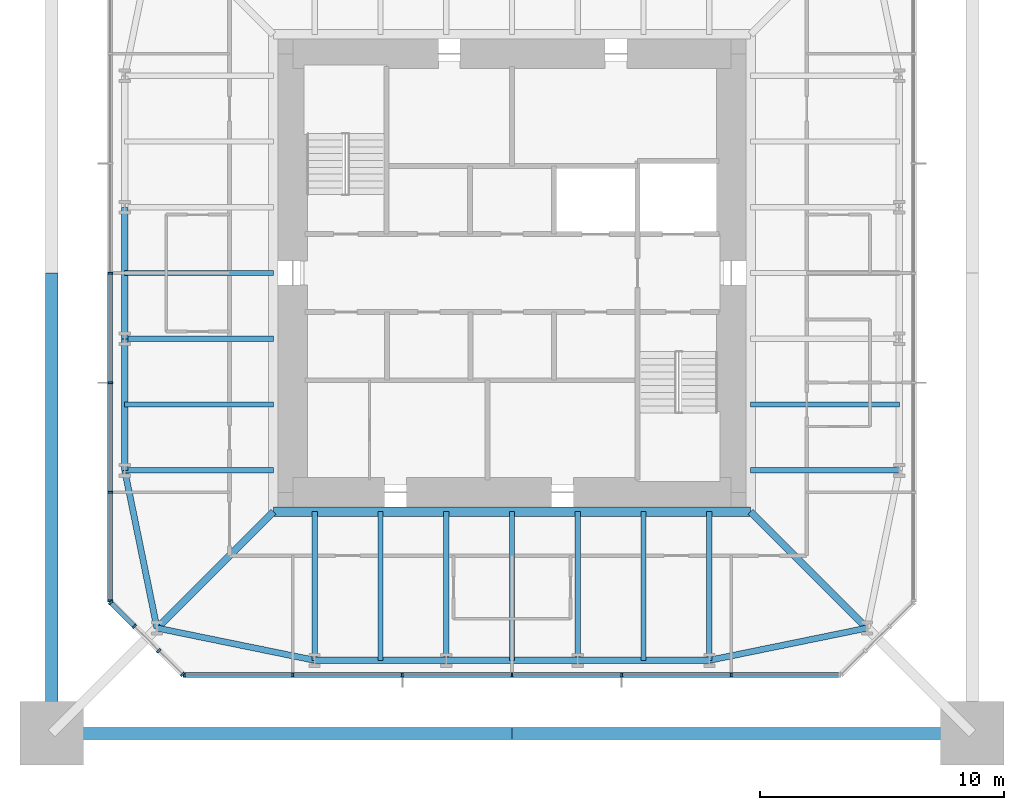
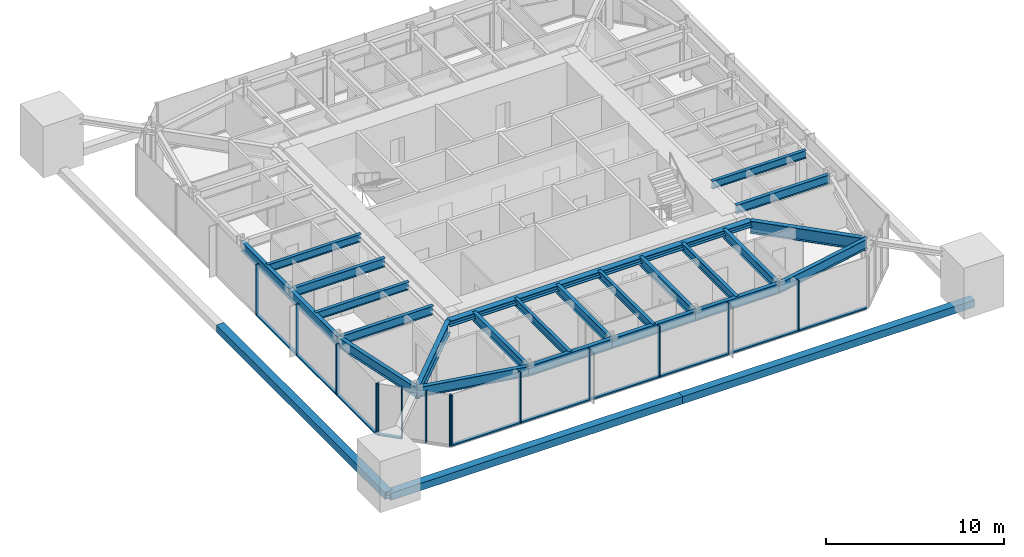
# One storey, part 2 of 10: 27 members, 24 beams, 3 elements without a shape of their own.
"""IFC4 building model written with IfcOpenShell, lengths in metres."""

from ifc_helpers import new_model, si_unit, direction, frame, origin, origin_2d, place, context, subcontext, project, spatial, rectangle, hollow_rectangle, i_section, extrude, material, material_profile, profile_set, type_object, element, aggregate, save


model = new_model("IFC4")

# Units and contexts
model_context = context("Model", 3, precision=1e-05, world=origin(), true_north=direction((0.0, 1.0)))
body_context = subcontext(model_context, "Body", "Model", "MODEL_VIEW")
ifc_project = project(units=[si_unit("LENGTHUNIT", "METRE"), si_unit("AREAUNIT", "SQUARE_METRE"), si_unit("VOLUMEUNIT", "CUBIC_METRE"), si_unit("PLANEANGLEUNIT", "RADIAN"), si_unit("MASSUNIT", "GRAM", prefix="KILO")], contexts=[model_context])

# Site, building, storey
site_placement = place(None, origin())
site = spatial("IfcSite", under=ifc_project, at=site_placement, CompositionType="ELEMENT")
building_placement = place(site_placement, origin())
building = spatial("IfcBuilding", under=site, at=building_placement, Name="Iwan Alto Co-Living Towers", CompositionType="ELEMENT")
storey_placement = place(building_placement, frame((0.0, 0.0, 253.5)))
storey = spatial("IfcBuildingStorey", under=building, at=storey_placement, Name="L69", CompositionType="ELEMENT", Elevation=253.5)

# Curtain wall, members
ifc_material_1 = material(Name="Bronze aluminium unitised frame", Category="aluminium")
curtain_wall_type_1 = type_object("IfcCurtainWallType", Name="CURTAIN WALL CW-A", PredefinedType="NOTDEFINED", material=ifc_material_1)
curtain_wall_1_placement = place(storey_placement, origin())
curtain_wall_1 = element("IfcCurtainWall", 1, at=curtain_wall_1_placement, inside=storey, type_object=curtain_wall_type_1, Name="T1 curtain wall S L69", PredefinedType="NOTDEFINED")
ifc_material_2 = material(Name="Aluminium 6063-T6 bronze anodised", Category="aluminium")
ifc_material_profile_1 = material_profile(ifc_material_2, rectangle(XDim=0.199951171875, YDim=0.080078125, at=origin_2d()), Name="AL 80X200")
ifc_profile_set_1 = profile_set([ifc_material_profile_1], Name="Aluminium 6063-T6 bronze anodised")
member_type_1 = type_object("IfcMemberType", Name="CW-A MULLION 80X200", PredefinedType="MULLION", material=ifc_profile_set_1)
member_1_placement = place(storey_placement, frame((-13.4599609375, -16.5, 0.0), z_axis=(0.0, 0.0, 1.0), x_axis=(0.0, 1.0, 0.0)))
member_1 = element("IfcMember", 2, at=member_1_placement, type_object=member_type_1, Name="CW-A mullion 1", PredefinedType="MULLION", context=body_context, shape_type="SweptSolid", body=[
    extrude(rectangle(XDim=0.199951171875, YDim=0.080078125, at=origin_2d()), origin(), (0.0, 0.0, 1.0), 3.5),
])
member_2_placement = place(storey_placement, frame((-9.0, -16.5, 0.0), z_axis=(0.0, 0.0, 1.0), x_axis=(0.0, 1.0, 0.0)))
member_2 = element("IfcMember", 3, at=member_2_placement, type_object=member_type_1, Name="CW-A mullion 2", PredefinedType="MULLION", context=body_context, shape_type="SweptSolid", body=[
    extrude(rectangle(XDim=0.199951171875, YDim=0.080078125, at=origin_2d()), origin(), (0.0, 0.0, 1.0), 3.5),
])
member_3_placement = place(storey_placement, frame((-4.5, -16.5, 0.0), z_axis=(0.0, 0.0, 1.0), x_axis=(0.0, 1.0, 0.0)))
member_3 = element("IfcMember", 4, at=member_3_placement, type_object=member_type_1, Name="CW-A mullion 3", PredefinedType="MULLION", context=body_context, shape_type="SweptSolid", body=[
    extrude(rectangle(XDim=0.199951171875, YDim=0.080078125, at=origin_2d()), origin(), (0.0, 0.0, 1.0), 3.5),
])
member_4_placement = place(storey_placement, frame((0.0, -16.5, 0.0), z_axis=(0.0, 0.0, 1.0), x_axis=(0.0, 1.0, 0.0)))
member_4 = element("IfcMember", 5, at=member_4_placement, type_object=member_type_1, Name="CW-A mullion 4", PredefinedType="MULLION", context=body_context, shape_type="SweptSolid", body=[
    extrude(rectangle(XDim=0.199951171875, YDim=0.080078125, at=origin_2d()), origin(), (0.0, 0.0, 1.0), 3.5),
])
member_5_placement = place(storey_placement, frame((4.5, -16.5, 0.0), z_axis=(0.0, 0.0, 1.0), x_axis=(0.0, 1.0, 0.0)))
member_5 = element("IfcMember", 6, at=member_5_placement, type_object=member_type_1, Name="CW-A mullion 5", PredefinedType="MULLION", context=body_context, shape_type="SweptSolid", body=[
    extrude(rectangle(XDim=0.199951171875, YDim=0.080078125, at=origin_2d()), origin(), (0.0, 0.0, 1.0), 3.5),
])
member_6_placement = place(storey_placement, frame((9.0, -16.5, 0.0), z_axis=(0.0, 0.0, 1.0), x_axis=(0.0, 1.0, 0.0)))
member_6 = element("IfcMember", 7, at=member_6_placement, type_object=member_type_1, Name="CW-A mullion 6", PredefinedType="MULLION", context=body_context, shape_type="SweptSolid", body=[
    extrude(rectangle(XDim=0.199951171875, YDim=0.080078125, at=origin_2d()), origin(), (0.0, 0.0, 1.0), 3.5),
])

curtain_wall_2_placement = place(storey_placement, origin())
curtain_wall_2 = element("IfcCurtainWall", 8, at=curtain_wall_2_placement, inside=storey, type_object=curtain_wall_type_1, Name="T1 curtain wall W L69", PredefinedType="NOTDEFINED")
member_7_placement = place(storey_placement, frame((-16.5, 0.0, 0.0), z_axis=(0.0, 0.0, 1.0), x_axis=(1.0, 0.0, 0.0)))
member_7 = element("IfcMember", 9, at=member_7_placement, type_object=member_type_1, Name="CW-A mullion 4", PredefinedType="MULLION", context=body_context, shape_type="SweptSolid", body=[
    extrude(rectangle(XDim=0.199951171875, YDim=0.080078125, at=origin_2d()), origin(), (0.0, 0.0, 1.0), 3.5),
])
member_8_placement = place(storey_placement, frame((-16.5, -4.5, 0.0), z_axis=(0.0, 0.0, 1.0), x_axis=(1.0, 0.0, 0.0)))
member_8 = element("IfcMember", 10, at=member_8_placement, type_object=member_type_1, Name="CW-A mullion 5", PredefinedType="MULLION", context=body_context, shape_type="SweptSolid", body=[
    extrude(rectangle(XDim=0.199951171875, YDim=0.080078125, at=origin_2d()), origin(), (0.0, 0.0, 1.0), 3.5),
])
member_9_placement = place(storey_placement, frame((-16.5, -9.0, 0.0), z_axis=(0.0, 0.0, 1.0), x_axis=(1.0, 0.0, 0.0)))
member_9 = element("IfcMember", 11, at=member_9_placement, type_object=member_type_1, Name="CW-A mullion 6", PredefinedType="MULLION", context=body_context, shape_type="SweptSolid", body=[
    extrude(rectangle(XDim=0.199951171875, YDim=0.080078125, at=origin_2d()), origin(), (0.0, 0.0, 1.0), 3.5),
])
member_10_placement = place(storey_placement, frame((-16.5, -13.4599609375, 0.0), z_axis=(0.0, 0.0, 1.0), x_axis=(1.0, 0.0, 0.0)))
member_10 = element("IfcMember", 12, at=member_10_placement, type_object=member_type_1, Name="CW-A mullion 7", PredefinedType="MULLION", context=body_context, shape_type="SweptSolid", body=[
    extrude(rectangle(XDim=0.199951171875, YDim=0.080078125, at=origin_2d()), origin(), (0.0, 0.0, 1.0), 3.5),
])

# Member
ifc_material_3 = material(Name="Aluminium 6063-T6 bronze anodised", Category="aluminium")
ifc_material_profile_2 = material_profile(ifc_material_3, rectangle(XDim=0.199951171875, YDim=0.10009765625, at=origin_2d()), Name="AL 200X100")
ifc_profile_set_2 = profile_set([ifc_material_profile_2], Name="Aluminium 6063-T6 bronze anodised")
member_type_2 = type_object("IfcMemberType", Name="CW-A TRANSOM 200X100", PredefinedType="USERDEFINED", material=ifc_profile_set_2)
member_11_placement = place(storey_placement, frame((-13.419921875, -16.5, 0.050048828125), z_axis=(1.0, 0.0, 0.0), x_axis=(0.0, 1.0, 0.0)))
member_11 = element("IfcMember", 13, at=member_11_placement, type_object=member_type_2, Name="CW-A transom 1.1", ObjectType="TRANSOM", PredefinedType="USERDEFINED", context=body_context, shape_type="SweptSolid", body=[
    extrude(rectangle(XDim=0.199951171875, YDim=0.10009765625, at=origin_2d()), origin(), (0.0, 0.0, 1.0), 4.3798828125),
])

member_12_placement = place(storey_placement, frame((-8.9599609375, -16.5, 0.050048828125), z_axis=(1.0, 0.0, 0.0), x_axis=(0.0, 1.0, 0.0)))
member_12 = element("IfcMember", 14, at=member_12_placement, type_object=member_type_2, Name="CW-A transom 2.1", ObjectType="TRANSOM", PredefinedType="USERDEFINED", context=body_context, shape_type="SweptSolid", body=[
    extrude(rectangle(XDim=0.199951171875, YDim=0.10009765625, at=origin_2d()), origin(), (0.0, 0.0, 1.0), 4.419921875),
])

member_13_placement = place(storey_placement, frame((-4.4599609375, -16.5, 0.050048828125), z_axis=(1.0, 0.0, 0.0), x_axis=(0.0, 1.0, 0.0)))
member_13 = element("IfcMember", 15, at=member_13_placement, type_object=member_type_2, Name="CW-A transom 3.1", ObjectType="TRANSOM", PredefinedType="USERDEFINED", context=body_context, shape_type="SweptSolid", body=[
    extrude(rectangle(XDim=0.199951171875, YDim=0.10009765625, at=origin_2d()), origin(), (0.0, 0.0, 1.0), 4.419921875),
])

member_14_placement = place(storey_placement, frame((0.0400390625, -16.5, 0.050048828125), z_axis=(1.0, 0.0, 0.0), x_axis=(0.0, 1.0, 0.0)))
member_14 = element("IfcMember", 16, at=member_14_placement, type_object=member_type_2, Name="CW-A transom 4.1", ObjectType="TRANSOM", PredefinedType="USERDEFINED", context=body_context, shape_type="SweptSolid", body=[
    extrude(rectangle(XDim=0.199951171875, YDim=0.10009765625, at=origin_2d()), origin(), (0.0, 0.0, 1.0), 4.419921875),
])

member_15_placement = place(storey_placement, frame((4.5400390625, -16.5, 0.050048828125), z_axis=(1.0, 0.0, 0.0), x_axis=(0.0, 1.0, 0.0)))
member_15 = element("IfcMember", 17, at=member_15_placement, type_object=member_type_2, Name="CW-A transom 5.1", ObjectType="TRANSOM", PredefinedType="USERDEFINED", context=body_context, shape_type="SweptSolid", body=[
    extrude(rectangle(XDim=0.199951171875, YDim=0.10009765625, at=origin_2d()), origin(), (0.0, 0.0, 1.0), 4.419921875),
])

member_16_placement = place(storey_placement, frame((9.0400390625, -16.5, 0.050048828125), z_axis=(1.0, 0.0, 0.0), x_axis=(0.0, 1.0, 0.0)))
member_16 = element("IfcMember", 18, at=member_16_placement, type_object=member_type_2, Name="CW-A transom 6.1", ObjectType="TRANSOM", PredefinedType="USERDEFINED", context=body_context, shape_type="SweptSolid", body=[
    extrude(rectangle(XDim=0.199951171875, YDim=0.10009765625, at=origin_2d()), origin(), (0.0, 0.0, 1.0), 4.3798828125),
])

aggregate(curtain_wall_1, [member_1, member_2, member_3, member_4, member_5, member_6, member_11, member_12, member_13, member_14, member_15, member_16])

member_17_placement = place(storey_placement, frame((-16.5, -0.0400390625, 0.050048828125), z_axis=(0.0, -1.0, 0.0), x_axis=(1.0, 0.0, 0.0)))
member_17 = element("IfcMember", 19, at=member_17_placement, type_object=member_type_2, Name="CW-A transom 4.1", ObjectType="TRANSOM", PredefinedType="USERDEFINED", context=body_context, shape_type="SweptSolid", body=[
    extrude(rectangle(XDim=0.199951171875, YDim=0.10009765625, at=origin_2d()), origin(), (0.0, 0.0, 1.0), 4.419921875),
])

member_18_placement = place(storey_placement, frame((-16.5, -4.5400390625, 0.050048828125), z_axis=(0.0, -1.0, 0.0), x_axis=(1.0, 0.0, 0.0)))
member_18 = element("IfcMember", 20, at=member_18_placement, type_object=member_type_2, Name="CW-A transom 5.1", ObjectType="TRANSOM", PredefinedType="USERDEFINED", context=body_context, shape_type="SweptSolid", body=[
    extrude(rectangle(XDim=0.199951171875, YDim=0.10009765625, at=origin_2d()), origin(), (0.0, 0.0, 1.0), 4.419921875),
])

member_19_placement = place(storey_placement, frame((-16.5, -9.0400390625, 0.050048828125), z_axis=(0.0, -1.0, 0.0), x_axis=(1.0, 0.0, 0.0)))
member_19 = element("IfcMember", 21, at=member_19_placement, type_object=member_type_2, Name="CW-A transom 6.1", ObjectType="TRANSOM", PredefinedType="USERDEFINED", context=body_context, shape_type="SweptSolid", body=[
    extrude(rectangle(XDim=0.199951171875, YDim=0.10009765625, at=origin_2d()), origin(), (0.0, 0.0, 1.0), 4.3798828125),
])

aggregate(curtain_wall_2, [member_7, member_8, member_9, member_10, member_17, member_18, member_19])

# Curtain wall, members
ifc_material_4 = material(Name="Bronze aluminium unitised frame", Category="aluminium")
curtain_wall_type_2 = type_object("IfcCurtainWallType", Name="CURTAIN WALL CW-B", PredefinedType="NOTDEFINED", material=ifc_material_4)
curtain_wall_3_placement = place(storey_placement, origin())
curtain_wall_3 = element("IfcCurtainWall", 22, at=curtain_wall_3_placement, inside=storey, type_object=curtain_wall_type_2, Name="T1 chamfer curtain wall SW L69", PredefinedType="NOTDEFINED")
ifc_material_5 = material(Name="Aluminium 6063-T6 bronze anodised", Category="aluminium")
ifc_material_profile_3 = material_profile(ifc_material_5, rectangle(XDim=0.199951171875, YDim=0.080078125, at=origin_2d()), Name="AL 80X200")
ifc_profile_set_3 = profile_set([ifc_material_profile_3], Name="Aluminium 6063-T6 bronze anodised")
member_type_3 = type_object("IfcMemberType", Name="CW-B MULLION 80X200", PredefinedType="MULLION", material=ifc_profile_set_3)
member_20_placement = place(storey_placement, frame((-16.4716796875, -13.5283203125, 0.0), z_axis=(0.0, 0.0, 1.0), x_axis=(0.707106781187, 0.707106781187, 0.0)))
member_20 = element("IfcMember", 23, at=member_20_placement, type_object=member_type_3, Name="CW-B mullion 1", PredefinedType="MULLION", context=body_context, shape_type="SweptSolid", body=[
    extrude(rectangle(XDim=0.199951171875, YDim=0.080078125, at=origin_2d()), origin(), (0.0, 0.0, 1.0), 3.5),
])
member_21_placement = place(storey_placement, frame((-15.5, -14.5, 0.0), z_axis=(0.0, 0.0, 1.0), x_axis=(0.707106781187, 0.707106781187, 0.0)))
member_21 = element("IfcMember", 24, at=member_21_placement, type_object=member_type_3, Name="CW-B mullion 2", PredefinedType="MULLION", context=body_context, shape_type="SweptSolid", body=[
    extrude(rectangle(XDim=0.199951171875, YDim=0.080078125, at=origin_2d()), origin(), (0.0, 0.0, 1.0), 3.5),
])
member_22_placement = place(storey_placement, frame((-14.5, -15.5, 0.0), z_axis=(0.0, 0.0, 1.0), x_axis=(0.707106781187, 0.707106781187, 0.0)))
member_22 = element("IfcMember", 25, at=member_22_placement, type_object=member_type_3, Name="CW-B mullion 3", PredefinedType="MULLION", context=body_context, shape_type="SweptSolid", body=[
    extrude(rectangle(XDim=0.199951171875, YDim=0.080078125, at=origin_2d()), origin(), (0.0, 0.0, 1.0), 3.5),
])
member_23_placement = place(storey_placement, frame((-13.5283203125, -16.4716796875, 0.0), z_axis=(0.0, 0.0, 1.0), x_axis=(0.707106781187, 0.707106781187, 0.0)))
member_23 = element("IfcMember", 26, at=member_23_placement, type_object=member_type_3, Name="CW-B mullion 4", PredefinedType="MULLION", context=body_context, shape_type="SweptSolid", body=[
    extrude(rectangle(XDim=0.199951171875, YDim=0.080078125, at=origin_2d()), origin(), (0.0, 0.0, 1.0), 3.5),
])
ifc_material_6 = material(Name="Aluminium 6063-T6 bronze anodised", Category="aluminium")
ifc_material_profile_4 = material_profile(ifc_material_6, rectangle(XDim=0.199951171875, YDim=0.10009765625, at=origin_2d()), Name="AL 200X100")
ifc_profile_set_4 = profile_set([ifc_material_profile_4], Name="Aluminium 6063-T6 bronze anodised")
member_type_4 = type_object("IfcMemberType", Name="CW-B TRANSOM 200X100", PredefinedType="USERDEFINED", material=ifc_profile_set_4)
member_24_placement = place(storey_placement, frame((-16.443359375, -13.556640625, 0.050048828125), z_axis=(0.707106781187, -0.707106781187, 0.0), x_axis=(0.707106781187, 0.707106781187, 0.0)))
member_24 = element("IfcMember", 27, at=member_24_placement, type_object=member_type_4, Name="CW-B transom 1.1", ObjectType="TRANSOM", PredefinedType="USERDEFINED", context=body_context, shape_type="SweptSolid", body=[
    extrude(rectangle(XDim=0.199951171875, YDim=0.10009765625, at=origin_2d()), origin(), (0.0, 0.0, 1.0), 1.2939453125),
])
aggregate(curtain_wall_3, [member_20, member_21, member_22, member_23, member_24])

# Beams
ifc_material_7 = material(Name="Steel ASTM A992 Gr 50", Category="steel")
ifc_material_profile_5 = material_profile(ifc_material_7, i_section(OverallWidth=0.398681640625, OverallDepth=0.385986328125, WebThickness=0.02099609375, FlangeThickness=0.033203125, at=origin_2d()), Name="W14X176")
ifc_profile_set_5 = profile_set([ifc_material_profile_5], Name="Steel ASTM A992 Gr 50")
beam_type_1 = type_object("IfcBeamType", Name="T1 CORE LEDGER BEAM W14X176", PredefinedType="BEAM", material=ifc_profile_set_5)
beam_1_placement = place(storey_placement, frame((-9.79931640625, -9.79931640625, 3.076904296875), z_axis=(1.0, 0.0, 0.0), x_axis=(0.0, 1.0, 0.0)))
element("IfcBeam", 28, at=beam_1_placement, inside=storey, type_object=beam_type_1, Name="T1 core ledger beam S L70", PredefinedType="BEAM", context=body_context, shape_type="SweptSolid", body=[
    extrude(i_section(OverallWidth=0.398681640625, OverallDepth=0.385986328125, WebThickness=0.02099609375, FlangeThickness=0.033203125, at=origin_2d()), origin(), (0.0, 0.0, 1.0), 19.5986328125),
])
ifc_material_8 = material(Name="Steel ASTM A992 Gr 50", Category="steel")
ifc_material_profile_6 = material_profile(ifc_material_8, i_section(OverallWidth=0.2919921875, OverallDepth=0.8408203125, WebThickness=0.0146484375, FlangeThickness=0.021728515625, at=origin_2d()), Name="W33X130")
ifc_profile_set_6 = profile_set([ifc_material_profile_6], Name="Steel ASTM A992 Gr 50")
beam_type_2 = type_object("IfcBeamType", Name="T1 CORNER GIRDER W33X130", PredefinedType="BEAM", material=ifc_profile_set_6)
for number, where, z_axis, x_axis, name in (
    (29, (-14.57568359375, -14.57568359375, 2.849609375), (0.707106781187, 0.707106781187, 0.0), (-0.707106781187, 0.707106781187, 0.0), "T1 corner girder CSW L70"),
    (30, (14.57568359375, -14.57568359375, 2.849609375), (-0.707106781187, 0.707106781187, 0.0), (-0.707106781187, -0.707106781187, 0.0), "T1 corner girder CSE L70"),
):
    element("IfcBeam", number, at=place(storey_placement, frame(where, z_axis=z_axis, x_axis=x_axis)), inside=storey, type_object=beam_type_2, Name=name, PredefinedType="BEAM", context=body_context, shape_type="SweptSolid", body=[
        extrude(i_section(OverallWidth=0.2919921875, OverallDepth=0.8408203125, WebThickness=0.0146484375, FlangeThickness=0.021728515625, at=origin_2d()), origin(), (0.0, 0.0, 1.0), 6.7548828125),
    ])
ifc_material_9 = material(Name="Steel ASTM A992 Gr 50", Category="steel")
ifc_material_profile_7 = material_profile(ifc_material_9, i_section(OverallWidth=0.25390625, OverallDepth=0.683349609375, WebThickness=0.012451171875, FlangeThickness=0.018798828125, at=origin_2d()), Name="W27X94")
ifc_profile_set_7 = profile_set([ifc_material_profile_7], Name="Steel ASTM A992 Gr 50")
beam_type_3 = type_object("IfcBeamType", Name="T1 EDGE BEAM W27X94", PredefinedType="BEAM", material=ifc_profile_set_7)
beam_2_placement = place(storey_placement, frame((-14.57568359375, -14.57568359375, 2.928466796875), z_axis=(0.979724820103, -0.200347889618, 0.0), x_axis=(0.200347889618, 0.979724820103, 0.0)))
element("IfcBeam", 31, at=beam_2_placement, inside=storey, type_object=beam_type_3, Name="T1 edge beam CSW L70", PredefinedType="BEAM", context=body_context, shape_type="SweptSolid", body=[
    extrude(i_section(OverallWidth=0.25390625, OverallDepth=0.683349609375, WebThickness=0.012451171875, FlangeThickness=0.018798828125, at=origin_2d()), origin(), (0.0, 0.0, 1.0), 6.609619140625),
])
beam_3_placement = place(storey_placement, frame((-8.10009765625, -15.89990234375, 2.928466796875), z_axis=(1.0, 0.0, 0.0), x_axis=(0.0, 1.0, 0.0)))
element("IfcBeam", 32, at=beam_3_placement, inside=storey, type_object=beam_type_3, Name="T1 edge beam S1 L70", PredefinedType="BEAM", context=body_context, shape_type="SweptSolid", body=[
    extrude(i_section(OverallWidth=0.25390625, OverallDepth=0.683349609375, WebThickness=0.012451171875, FlangeThickness=0.018798828125, at=origin_2d()), origin(), (0.0, 0.0, 1.0), 5.400146484375),
])
beam_4_placement = place(storey_placement, frame((-2.699951171875, -15.89990234375, 2.928466796875), z_axis=(1.0, 0.0, 0.0), x_axis=(0.0, 1.0, 0.0)))
element("IfcBeam", 33, at=beam_4_placement, inside=storey, type_object=beam_type_3, Name="T1 edge beam S2 L70", PredefinedType="BEAM", context=body_context, shape_type="SweptSolid", body=[
    extrude(i_section(OverallWidth=0.25390625, OverallDepth=0.683349609375, WebThickness=0.012451171875, FlangeThickness=0.018798828125, at=origin_2d()), origin(), (0.0, 0.0, 1.0), 5.39990234375),
])
beam_5_placement = place(storey_placement, frame((2.699951171875, -15.89990234375, 2.928466796875), z_axis=(1.0, 0.0, 0.0), x_axis=(0.0, 1.0, 0.0)))
element("IfcBeam", 34, at=beam_5_placement, inside=storey, type_object=beam_type_3, Name="T1 edge beam S3 L70", PredefinedType="BEAM", context=body_context, shape_type="SweptSolid", body=[
    extrude(i_section(OverallWidth=0.25390625, OverallDepth=0.683349609375, WebThickness=0.012451171875, FlangeThickness=0.018798828125, at=origin_2d()), origin(), (0.0, 0.0, 1.0), 5.400146484375),
])
beam_6_placement = place(storey_placement, frame((8.10009765625, -15.89990234375, 2.928466796875), z_axis=(0.979724820103, 0.200347889618, 0.0), x_axis=(-0.200347889618, 0.979724820103, 0.0)))
element("IfcBeam", 35, at=beam_6_placement, inside=storey, type_object=beam_type_3, Name="T1 edge beam S4 L70", PredefinedType="BEAM", context=body_context, shape_type="SweptSolid", body=[
    extrude(i_section(OverallWidth=0.25390625, OverallDepth=0.683349609375, WebThickness=0.012451171875, FlangeThickness=0.018798828125, at=origin_2d()), origin(), (0.0, 0.0, 1.0), 6.609619140625),
])
beam_7_placement = place(storey_placement, frame((-15.89990234375, 2.699951171875, 2.928466796875), z_axis=(0.0, -1.0, 0.0), x_axis=(1.0, 0.0, 0.0)))
element("IfcBeam", 36, at=beam_7_placement, inside=storey, type_object=beam_type_3, Name="T1 edge beam W2 L70", PredefinedType="BEAM", context=body_context, shape_type="SweptSolid", body=[
    extrude(i_section(OverallWidth=0.25390625, OverallDepth=0.683349609375, WebThickness=0.012451171875, FlangeThickness=0.018798828125, at=origin_2d()), origin(), (0.0, 0.0, 1.0), 5.39990234375),
])
beam_8_placement = place(storey_placement, frame((-15.89990234375, -2.699951171875, 2.928466796875), z_axis=(0.0, -1.0, 0.0), x_axis=(1.0, 0.0, 0.0)))
element("IfcBeam", 37, at=beam_8_placement, inside=storey, type_object=beam_type_3, Name="T1 edge beam W3 L70", PredefinedType="BEAM", context=body_context, shape_type="SweptSolid", body=[
    extrude(i_section(OverallWidth=0.25390625, OverallDepth=0.683349609375, WebThickness=0.012451171875, FlangeThickness=0.018798828125, at=origin_2d()), origin(), (0.0, 0.0, 1.0), 5.400146484375),
])
beam_9_placement = place(storey_placement, frame((-15.89990234375, -8.10009765625, 2.928466796875), z_axis=(0.200347889618, -0.979724820103, 0.0), x_axis=(0.979724820103, 0.200347889618, 0.0)))
element("IfcBeam", 38, at=beam_9_placement, inside=storey, type_object=beam_type_3, Name="T1 edge beam W4 L70", PredefinedType="BEAM", context=body_context, shape_type="SweptSolid", body=[
    extrude(i_section(OverallWidth=0.25390625, OverallDepth=0.683349609375, WebThickness=0.012451171875, FlangeThickness=0.018798828125, at=origin_2d()), origin(), (0.0, 0.0, 1.0), 6.609619140625),
])

# Members
ifc_material_10 = material(Name="Steel ASTM A572 Gr 50", Category="steel")
ifc_material_profile_8 = material_profile(ifc_material_10, hollow_rectangle(XDim=0.5, YDim=0.5, WallThickness=0.031982421875, at=origin_2d()), Name="BOX 500X500X32")
ifc_profile_set_8 = profile_set([ifc_material_profile_8], Name="Steel ASTM A572 Gr 50")
member_type_5 = type_object("IfcMemberType", Name="T1 MEGA TIE BOX 500X500X32", PredefinedType="STRUT", material=ifc_profile_set_8)
for number, where, z_axis, x_axis, name in (
    (39, (-18.89990234375, -18.89990234375, 0.0), (1.0, 0.0, 0.0), (0.0, 1.0, 0.0), "T1 mega tie Z4B S 1"),
    (40, (0.0, -18.89990234375, 0.0), (1.0, 0.0, 0.0), (0.0, 1.0, 0.0), "T1 mega tie Z4B S 2"),
    (41, (-18.89990234375, 0.0, 0.0), (0.0, -1.0, 0.0), (1.0, 0.0, 0.0), "T1 mega tie Z4B W 2"),
):
    element("IfcMember", number, at=place(storey_placement, frame(where, z_axis=z_axis, x_axis=x_axis)), inside=storey, type_object=member_type_5, Name=name, PredefinedType="STRUT", context=body_context, shape_type="SweptSolid", body=[
        extrude(hollow_rectangle(XDim=0.5, YDim=0.5, WallThickness=0.031982421875, at=origin_2d()), origin(), (0.0, 0.0, 1.0), 18.89990234375),
    ])

# Beams
ifc_material_11 = material(Name="Steel ASTM A992 Gr 50", Category="steel")
ifc_material_profile_9 = material_profile(ifc_material_11, i_section(OverallWidth=0.228271484375, OverallDepth=0.607177734375, WebThickness=0.01123046875, FlangeThickness=0.017333984375, at=origin_2d()), Name="W24X76")
ifc_profile_set_9 = profile_set([ifc_material_profile_9], Name="Steel ASTM A992 Gr 50")
beam_type_4 = type_object("IfcBeamType", Name="T1 RADIAL BEAM W24X76", PredefinedType="BEAM", material=ifc_profile_set_9)
for number, where, z_axis, x_axis, name in (
    (42, (-8.10009765625, -15.89990234375, 2.966552734375), (0.0, 1.0, 0.0), (-1.0, 0.0, 0.0), "T1 radial beam S1 L70"),
    (43, (-2.699951171875, -15.89990234375, 2.966552734375), (0.0, 1.0, 0.0), (-1.0, 0.0, 0.0), "T1 radial beam S2 L70"),
    (44, (2.699951171875, -15.89990234375, 2.966552734375), (0.0, 1.0, 0.0), (-1.0, 0.0, 0.0), "T1 radial beam S3 L70"),
    (45, (8.10009765625, -15.89990234375, 2.966552734375), (0.0, 1.0, 0.0), (-1.0, 0.0, 0.0), "T1 radial beam S4 L70"),
    (46, (15.89990234375, -8.10009765625, 2.966552734375), (-1.0, 0.0, 0.0), (0.0, -1.0, 0.0), "T1 radial beam E1 L70"),
    (47, (-15.89990234375, -2.699951171875, 2.966552734375), (1.0, 0.0, 0.0), (0.0, 1.0, 0.0), "T1 radial beam W3 L70"),
    (48, (-15.89990234375, -8.10009765625, 2.966552734375), (1.0, 0.0, 0.0), (0.0, 1.0, 0.0), "T1 radial beam W4 L70"),
):
    element("IfcBeam", number, at=place(storey_placement, frame(where, z_axis=z_axis, x_axis=x_axis)), inside=storey, type_object=beam_type_4, Name=name, PredefinedType="BEAM", context=body_context, shape_type="SweptSolid", body=[
        extrude(i_section(OverallWidth=0.228271484375, OverallDepth=0.607177734375, WebThickness=0.01123046875, FlangeThickness=0.017333984375, at=origin_2d()), origin(), (0.0, 0.0, 1.0), 6.1005859375),
    ])
ifc_material_12 = material(Name="Steel ASTM A992 Gr 50", Category="steel")
ifc_material_profile_10 = material_profile(ifc_material_12, i_section(OverallWidth=0.209228515625, OverallDepth=0.533447265625, WebThickness=0.01025390625, FlangeThickness=0.015625, at=origin_2d()), Name="W21X62")
ifc_profile_set_10 = profile_set([ifc_material_profile_10], Name="Steel ASTM A992 Gr 50")
beam_type_5 = type_object("IfcBeamType", Name="T1 SECONDARY BEAM W21X62", PredefinedType="JOIST", material=ifc_profile_set_10)
for number, where, z_axis, x_axis, name in (
    (49, (-5.39990234375, -15.89990234375, 3.00341796875), (0.0, 1.0, 0.0), (-1.0, 0.0, 0.0), "T1 secondary beam S1 L70"),
    (50, (0.0, -15.89990234375, 3.00341796875), (0.0, 1.0, 0.0), (-1.0, 0.0, 0.0), "T1 secondary beam S2 L70"),
    (51, (5.39990234375, -15.89990234375, 3.00341796875), (0.0, 1.0, 0.0), (-1.0, 0.0, 0.0), "T1 secondary beam S3 L70"),
    (52, (15.89990234375, -5.39990234375, 3.00341796875), (-1.0, 0.0, 0.0), (0.0, -1.0, 0.0), "T1 secondary beam E1 L70"),
    (53, (-15.89990234375, 0.0, 3.00341796875), (1.0, 0.0, 0.0), (0.0, 1.0, 0.0), "T1 secondary beam W2 L70"),
    (54, (-15.89990234375, -5.39990234375, 3.00341796875), (1.0, 0.0, 0.0), (0.0, 1.0, 0.0), "T1 secondary beam W3 L70"),
):
    element("IfcBeam", number, at=place(storey_placement, frame(where, z_axis=z_axis, x_axis=x_axis)), inside=storey, type_object=beam_type_5, Name=name, PredefinedType="JOIST", context=body_context, shape_type="SweptSolid", body=[
        extrude(i_section(OverallWidth=0.209228515625, OverallDepth=0.533447265625, WebThickness=0.01025390625, FlangeThickness=0.015625, at=origin_2d()), origin(), (0.0, 0.0, 1.0), 6.1005859375),
    ])

save(model, "model.ifc")
